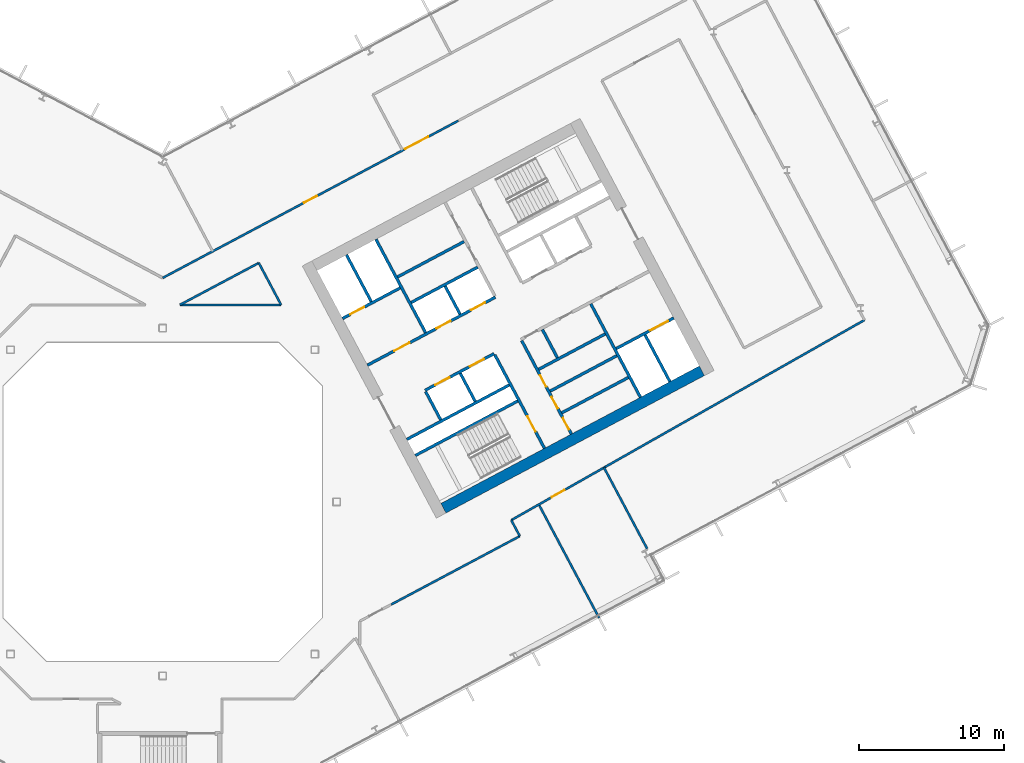
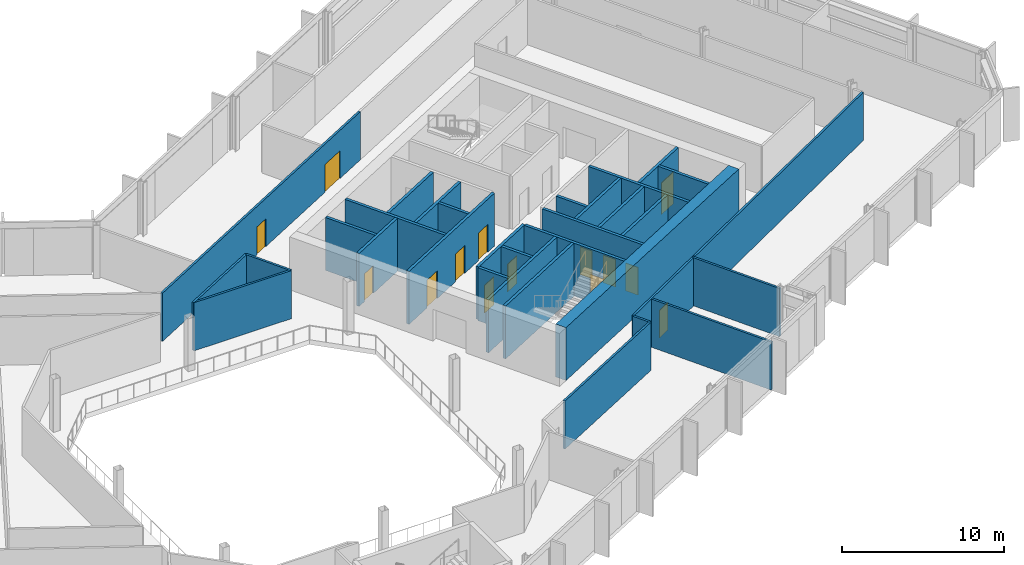
# One storey, part 16 of 28: 32 walls, 14 doors, 14 openings.
"""IFC4 building model written with IfcOpenShell, lengths in metres."""

from ifc_helpers import new_model, si_unit, direction, frame, frame_2d, origin, place, context, subcontext, project, spatial, rectangle, extrude, material, layer, layer_set, type_object, element, fill, save


model = new_model("IFC4")

# Units and contexts
model_context = context("Model", 3, precision=1e-05, world=origin(), true_north=direction((0.0, 1.0)))
body_context = subcontext(model_context, "Body", "Model", "MODEL_VIEW")
ifc_project = project(units=[si_unit("LENGTHUNIT", "METRE"), si_unit("AREAUNIT", "SQUARE_METRE"), si_unit("VOLUMEUNIT", "CUBIC_METRE"), si_unit("PLANEANGLEUNIT", "RADIAN"), si_unit("MASSUNIT", "GRAM", prefix="KILO")], contexts=[model_context])

# Site, building, storey
site_placement = place(None, origin())
site = spatial("IfcSite", under=ifc_project, at=site_placement, CompositionType="ELEMENT")
building_placement = place(site_placement, origin())
building = spatial("IfcBuilding", under=site, at=building_placement, Name="Cormorant Relay Tower", CompositionType="ELEMENT")
storey_placement = place(building_placement, frame((0.0, 0.0, 142.199951171875)))
storey = spatial("IfcBuildingStorey", under=building, at=storey_placement, Name="L29", CompositionType="ELEMENT", Elevation=142.199951171875)

# Walls
ifc_material_1 = material(Name="Concrete 40 MPa", Category="concrete")
ifc_layer_1 = layer(ifc_material_1, 0.199951171875)
ifc_layer_set_1 = layer_set([ifc_layer_1], Name="Core internal wall 200")
wall_type_1 = type_object("IfcWallType", Name="Core internal wall 200", PredefinedType="SOLIDWALL", material=ifc_layer_set_1)
for number, where, z_axis, x_axis, name in (
    (1, (21.567626953125, 6.9375, 0.0), (0.0, 0.0, 1.0), (-0.469533832133, 0.882914480843, 0.0), "L29 core B shaft and room wall"),
    (2, (20.522216796875, 12.950439453125, 0.0), (0.0, 0.0, 1.0), (-0.469401318492, 0.882984938828, 0.0), "L29 core B shaft and room wall"),
    (3, (27.236083984375, 9.951416015625, 0.0), (0.0, 0.0, 1.0), (-0.4694473164, 0.882960484464, 0.0), "L29 core B shaft and room wall"),
):
    element("IfcWall", number, at=place(storey_placement, frame(where, z_axis=z_axis, x_axis=x_axis)), inside=storey, type_object=wall_type_1, Name=name, PredefinedType="SOLIDWALL", context=body_context, shape_type="SweptSolid", body=[
        extrude(rectangle(XDim=2.199951171875, YDim=0.199951171875, at=frame_2d((1.10009765625, 0.0))), origin(), (0.0, 0.0, 1.0), 4.0),
    ])
for number, where, z_axis, x_axis, name in (
    (4, (27.537109375, 6.1474609375, 0.0), (0.0, 0.0, 1.0), (0.882934506056, 0.469496174655, 0.0), "L29 core B shaft and room wall"),
    (5, (26.739013671875, 7.6484375, 0.0), (0.0, 0.0, 1.0), (0.882934506056, 0.469496174655, 0.0), "L29 core B shaft and room wall"),
    (6, (16.2080078125, 15.526611328125, 0.0), (0.0, 0.0, 1.0), (0.882953967957, 0.469459572775, 0.0), "L29 core B shaft and room wall"),
):
    element("IfcWall", number, at=place(storey_placement, frame(where, z_axis=z_axis, x_axis=x_axis)), inside=storey, type_object=wall_type_1, Name=name, PredefinedType="SOLIDWALL", context=body_context, shape_type="SweptSolid", body=[
        extrude(rectangle(XDim=5.199951171875, YDim=0.199951171875, at=frame_2d((2.60009765625, 0.0))), origin(), (0.0, 0.0, 1.0), 4.0),
    ])
ifc_material_2 = material(Name="Concrete 50 MPa", Category="concrete")
ifc_layer_2 = layer(ifc_material_2, 0.199951171875)
ifc_layer_set_2 = layer_set([ifc_layer_2], Name="Core shaft wall 200")
wall_type_2 = type_object("IfcWallType", Name="Core shaft wall 200", PredefinedType="SHEAR", material=ifc_layer_set_2)
wall_1_placement = place(storey_placement, frame((14.39404296875, 13.825927734375, 0.0), z_axis=(0.0, 0.0, 1.0), x_axis=(-0.469494272526, 0.882935517501, 0.0)))
element("IfcWall", 7, at=wall_1_placement, inside=storey, type_object=wall_type_2, Name="L29 core B shaft wall", PredefinedType="SHEAR", context=body_context, shape_type="SweptSolid", body=[
    extrude(rectangle(XDim=3.64990234375, YDim=0.199951171875, at=frame_2d((1.824951171875, 0.0))), origin(), (0.0, 0.0, 1.0), 4.0),
])
wall_2_placement = place(storey_placement, frame((19.18359375, 5.669921875, 0.0), z_axis=(0.0, 0.0, 1.0), x_axis=(-0.4694473164, 0.882960484464, 0.0)))
element("IfcWall", 8, at=wall_2_placement, inside=storey, type_object=wall_type_2, Name="L29 core B shaft wall", PredefinedType="SHEAR", context=body_context, shape_type="SweptSolid", body=[
    extrude(rectangle(XDim=2.199951171875, YDim=0.199951171875, at=frame_2d((1.10009765625, 0.0))), origin(), (0.0, 0.0, 1.0), 4.0),
])
wall_3_placement = place(storey_placement, frame((18.138427734375, 11.682861328125, 0.0), z_axis=(0.0, 0.0, 1.0), x_axis=(-0.469480409012, 0.88294288918, 0.0)))
element("IfcWall", 9, at=wall_3_placement, inside=storey, type_object=wall_type_2, Name="L29 core B shaft wall", PredefinedType="SHEAR", context=body_context, shape_type="SweptSolid", body=[
    extrude(rectangle(XDim=7.300048828125, YDim=0.199951171875, at=frame_2d((3.64990234375, 0.0))), origin(), (0.0, 0.0, 1.0), 4.0),
])

# Wall, opening, door
wall_4_placement = place(storey_placement, frame((26.345947265625, 3.701904296875, 0.0), z_axis=(0.0, 0.0, 1.0), x_axis=(-0.469480409012, 0.88294288918, 0.0)))
wall_4 = element("IfcWall", 10, at=wall_4_placement, inside=storey, type_object=wall_type_2, Name="L29 core B shaft wall", PredefinedType="SHEAR", context=body_context, shape_type="SweptSolid", body=[
    extrude(rectangle(XDim=7.300048828125, YDim=0.199951171875, at=frame_2d((3.64990234375, 0.0))), origin(), (0.0, 0.0, 1.0), 4.0),
])
opening_1_placement = place(wall_4_placement, frame((1.300048828125, 0.0, 0.0)))
opening_1 = element("IfcOpeningElement", 11, at=opening_1_placement, cuts=wall_4, Name="Opening CDB-036", PredefinedType="OPENING", context=body_context, shape_type="SweptSolid", body=[
    extrude(rectangle(XDim=1.199951171875, YDim=2.10009765625, at=frame_2d((0.60009765625, 1.050048828125))), frame((0.0, 0.10986328125, 0.0), z_axis=(0.0, -1.0, 0.0), x_axis=(1.0, 0.0, 0.0)), (0.0, 0.0, 1.0), 0.219970703125),
])
ifc_material_3 = material(Name="Steel fire door", Category="steel")
door_type_1 = type_object("IfcDoorType", Name="Core stair door 1200x2100", OperationType="SINGLE_SWING_LEFT", PredefinedType="DOOR", material=ifc_material_3)
door_1_placement = place(opening_1_placement, origin())
door_1 = element("IfcDoor", 12, at=door_1_placement, inside=storey, type_object=door_type_1, Name="Core stair door 1200x2100", OperationType="SINGLE_SWING_RIGHT", OverallHeight=2.10009765625, OverallWidth=1.199951171875, PredefinedType="DOOR", context=body_context, shape_type="SweptSolid", body=[
    extrude(rectangle(XDim=1.199951171875, YDim=2.10009765625, at=frame_2d((0.60009765625, 1.050048828125))), frame((0.0, 0.02490234375, 0.0), z_axis=(0.0, -1.0, 0.0), x_axis=(1.0, 0.0, 0.0)), (0.0, 0.0, 1.0), 0.050048828125),
])
fill(opening_1, door_1)

# Wall, openings, doors
wall_5_placement = place(storey_placement, frame((28.199951171875, 4.687744140625, 0.0), z_axis=(0.0, 0.0, 1.0), x_axis=(-0.469454336211, 0.882956752176, 0.0)))
wall_5 = element("IfcWall", 13, at=wall_5_placement, inside=storey, type_object=wall_type_2, Name="L29 core B shaft wall", PredefinedType="SHEAR", context=body_context, shape_type="SweptSolid", body=[
    extrude(rectangle(XDim=7.300048828125, YDim=0.199951171875, at=frame_2d((3.64990234375, 0.0))), origin(), (0.0, 0.0, 1.0), 4.0),
])
opening_2_placement = place(wall_5_placement, frame((0.35009765625, 0.0, 0.0)))
opening_2 = element("IfcOpeningElement", 14, at=opening_2_placement, cuts=wall_5, Name="Opening CDD-203", PredefinedType="OPENING", context=body_context, shape_type="SweptSolid", body=[
    extrude(rectangle(XDim=0.89990234375, YDim=2.10009765625, at=frame_2d((0.449951171875, 1.050048828125))), frame((0.0, 0.10986328125, 0.0), z_axis=(0.0, -1.0, 0.0), x_axis=(1.0, 0.0, 0.0)), (0.0, 0.0, 1.0), 0.219970703125),
])
opening_3_placement = place(wall_5_placement, frame((2.0, 0.0, 0.0)))
opening_3 = element("IfcOpeningElement", 15, at=opening_3_placement, cuts=wall_5, Name="Opening CDD-204", PredefinedType="OPENING", context=body_context, shape_type="SweptSolid", body=[
    extrude(rectangle(XDim=0.89990234375, YDim=2.10009765625, at=frame_2d((0.449951171875, 1.050048828125))), frame((0.0, 0.10986328125, 0.0), z_axis=(0.0, -1.0, 0.0), x_axis=(1.0, 0.0, 0.0)), (0.0, 0.0, 1.0), 0.219970703125),
])
opening_4_placement = place(wall_5_placement, frame((3.699951171875, 0.0, 0.0)))
opening_4 = element("IfcOpeningElement", 16, at=opening_4_placement, cuts=wall_5, Name="Opening CDD-205", PredefinedType="OPENING", context=body_context, shape_type="SweptSolid", body=[
    extrude(rectangle(XDim=0.89990234375, YDim=2.10009765625, at=frame_2d((0.449951171875, 1.050048828125))), frame((0.0, 0.10986328125, 0.0), z_axis=(0.0, -1.0, 0.0), x_axis=(1.0, 0.0, 0.0)), (0.0, 0.0, 1.0), 0.219970703125),
])
ifc_material_4 = material(Name="Steel fire door", Category="steel")
door_type_2 = type_object("IfcDoorType", Name="Core room door 900x2100", OperationType="SINGLE_SWING_LEFT", PredefinedType="DOOR", material=ifc_material_4)
door_2_placement = place(opening_2_placement, frame((0.89990234375, 0.0, 0.0), z_axis=(0.0, 0.0, 1.0), x_axis=(-1.0, 0.0, 0.0)))
door_2 = element("IfcDoor", 17, at=door_2_placement, inside=storey, type_object=door_type_2, Name="Core room door 900x2100", OperationType="SINGLE_SWING_LEFT", OverallHeight=2.10009765625, OverallWidth=0.89990234375, PredefinedType="DOOR", context=body_context, shape_type="SweptSolid", body=[
    extrude(rectangle(XDim=0.89990234375, YDim=2.10009765625, at=frame_2d((0.449951171875, 1.050048828125))), frame((0.0, 0.02490234375, 0.0), z_axis=(0.0, -1.0, 0.0), x_axis=(1.0, 0.0, 0.0)), (0.0, 0.0, 1.0), 0.050048828125),
])
fill(opening_2, door_2)
door_3_placement = place(opening_3_placement, frame((0.89990234375, 0.0, 0.0), z_axis=(0.0, 0.0, 1.0), x_axis=(-1.0, 0.0, 0.0)))
door_3 = element("IfcDoor", 18, at=door_3_placement, inside=storey, type_object=door_type_2, Name="Core room door 900x2100", OperationType="SINGLE_SWING_LEFT", OverallHeight=2.10009765625, OverallWidth=0.89990234375, PredefinedType="DOOR", context=body_context, shape_type="SweptSolid", body=[
    extrude(rectangle(XDim=0.89990234375, YDim=2.10009765625, at=frame_2d((0.449951171875, 1.050048828125))), frame((0.0, 0.02490234375, 0.0), z_axis=(0.0, -1.0, 0.0), x_axis=(1.0, 0.0, 0.0)), (0.0, 0.0, 1.0), 0.050048828125),
])
fill(opening_3, door_3)
door_4_placement = place(opening_4_placement, frame((0.89990234375, 0.0, 0.0), z_axis=(0.0, 0.0, 1.0), x_axis=(-1.0, 0.0, 0.0)))
door_4 = element("IfcDoor", 19, at=door_4_placement, inside=storey, type_object=door_type_2, Name="Core room door 900x2100", OperationType="SINGLE_SWING_LEFT", OverallHeight=2.10009765625, OverallWidth=0.89990234375, PredefinedType="DOOR", context=body_context, shape_type="SweptSolid", body=[
    extrude(rectangle(XDim=0.89990234375, YDim=2.10009765625, at=frame_2d((0.449951171875, 1.050048828125))), frame((0.0, 0.02490234375, 0.0), z_axis=(0.0, -1.0, 0.0), x_axis=(1.0, 0.0, 0.0)), (0.0, 0.0, 1.0), 0.050048828125),
])
fill(opening_4, door_4)

# Walls
wall_6_placement = place(storey_placement, frame((32.968017578125, 7.222900390625, 0.0), z_axis=(0.0, 0.0, 1.0), x_axis=(-0.469480409012, 0.88294288918, 0.0)))
element("IfcWall", 20, at=wall_6_placement, inside=storey, type_object=wall_type_2, Name="L29 core B shaft wall", PredefinedType="SHEAR", context=body_context, shape_type="SweptSolid", body=[
    extrude(rectangle(XDim=7.300048828125, YDim=0.199951171875, at=frame_2d((3.64990234375, 0.0))), origin(), (0.0, 0.0, 1.0), 4.0),
])
wall_7_placement = place(storey_placement, frame((34.998779296875, 8.302734375, 0.0), z_axis=(0.0, 0.0, 1.0), x_axis=(-0.4694665462, 0.882950260207, 0.0)))
element("IfcWall", 21, at=wall_7_placement, inside=storey, type_object=wall_type_2, Name="L29 core B shaft wall", PredefinedType="SHEAR", context=body_context, shape_type="SweptSolid", body=[
    extrude(rectangle(XDim=3.650146484375, YDim=0.199951171875, at=frame_2d((1.8251953125, 0.0))), origin(), (0.0, 0.0, 1.0), 4.0),
])
wall_8_placement = place(storey_placement, frame((17.43359375, 3.210205078125, 0.0), z_axis=(0.0, 0.0, 1.0), x_axis=(0.882940221191, 0.469485426614, 0.0)))
element("IfcWall", 22, at=wall_8_placement, inside=storey, type_object=wall_type_2, Name="L29 core B shaft wall", PredefinedType="SHEAR", context=body_context, shape_type="SweptSolid", body=[
    extrude(rectangle(XDim=8.0, YDim=0.199951171875, at=frame_2d((4.0, 0.0))), origin(), (0.0, 0.0, 1.0), 4.0),
])

# Wall, opening, door
wall_9_placement = place(storey_placement, frame((31.295654296875, 10.5810546875, 0.0), z_axis=(0.0, 0.0, 1.0), x_axis=(0.882960433586, 0.469447412093, 0.0)))
wall_9 = element("IfcWall", 23, at=wall_9_placement, inside=storey, type_object=wall_type_2, Name="L29 core B shaft wall", PredefinedType="SHEAR", context=body_context, shape_type="SweptSolid", body=[
    extrude(rectangle(XDim=4.5, YDim=0.199951171875, at=frame_2d((2.25, 0.0))), origin(), (0.0, 0.0, 1.0), 4.0),
])
opening_5_placement = place(wall_9_placement, frame((2.64990234375, 0.0, 0.0)))
opening_5 = element("IfcOpeningElement", 24, at=opening_5_placement, cuts=wall_9, Name="Opening LD3-014", PredefinedType="OPENING", context=body_context, shape_type="SweptSolid", body=[
    extrude(rectangle(XDim=1.39990234375, YDim=2.39990234375, at=frame_2d((0.699951171875, 1.199951171875))), frame((0.0, 0.10986328125, 0.0), z_axis=(0.0, -1.0, 0.0), x_axis=(1.0, 0.0, 0.0)), (0.0, 0.0, 1.0), 0.219970703125),
])
ifc_material_5 = material(Name="Stainless steel 316", Category="steel")
door_type_3 = type_object("IfcDoorType", Name="Lift landing door 1400x2400", OperationType="DOUBLE_DOOR_SLIDING", PredefinedType="DOOR", material=ifc_material_5)
door_5_placement = place(opening_5_placement, origin())
door_5 = element("IfcDoor", 25, at=door_5_placement, inside=storey, type_object=door_type_3, Name="SV2 landing door", OperationType="DOUBLE_DOOR_SLIDING", OverallHeight=2.39990234375, OverallWidth=1.39990234375, PredefinedType="DOOR", context=body_context, shape_type="SweptSolid", body=[
    extrude(rectangle(XDim=1.39990234375, YDim=2.39990234375, at=frame_2d((0.699951171875, 1.199951171875))), frame((0.0, 0.02490234375, 0.0), z_axis=(0.0, -1.0, 0.0), x_axis=(1.0, 0.0, 0.0)), (0.0, 0.0, 1.0), 0.050048828125),
])
fill(opening_5, door_5)

# Walls
wall_10_placement = place(storey_placement, frame((16.8466796875, 4.31396484375, 0.0), z_axis=(0.0, 0.0, 1.0), x_axis=(0.882940221191, 0.469485426614, 0.0)))
element("IfcWall", 26, at=wall_10_placement, inside=storey, type_object=wall_type_2, Name="L29 core B shaft wall", PredefinedType="SHEAR", context=body_context, shape_type="SweptSolid", body=[
    extrude(rectangle(XDim=8.0, YDim=0.199951171875, at=frame_2d((4.0, 0.0))), origin(), (0.0, 0.0, 1.0), 4.0),
])
wall_11_placement = place(storey_placement, frame((25.94091796875, 9.149658203125, 0.0), z_axis=(0.0, 0.0, 1.0), x_axis=(0.882953967957, 0.469459572775, 0.0)))
element("IfcWall", 27, at=wall_11_placement, inside=storey, type_object=wall_type_2, Name="L29 core B shaft wall", PredefinedType="SHEAR", context=body_context, shape_type="SweptSolid", body=[
    extrude(rectangle(XDim=5.199951171875, YDim=0.199951171875, at=frame_2d((2.60009765625, 0.0))), origin(), (0.0, 0.0, 1.0), 4.0),
])

# Wall, openings, doors
wall_12_placement = place(storey_placement, frame((18.103759765625, 7.70068359375, 0.0), z_axis=(0.0, 0.0, 1.0), x_axis=(0.882952937579, 0.469461510692, 0.0)))
wall_12 = element("IfcWall", 28, at=wall_12_placement, inside=storey, type_object=wall_type_2, Name="L29 core B shaft wall", PredefinedType="SHEAR", context=body_context, shape_type="SweptSolid", body=[
    extrude(rectangle(XDim=5.400146484375, YDim=0.199951171875, at=frame_2d((2.7001953125, 0.0))), origin(), (0.0, 0.0, 1.0), 4.0),
])
opening_6_placement = place(wall_12_placement, frame((0.800048828125, 0.0, 0.0)))
opening_6 = element("IfcOpeningElement", 29, at=opening_6_placement, cuts=wall_12, Name="Opening LD1-048", PredefinedType="OPENING", context=body_context, shape_type="SweptSolid", body=[
    extrude(rectangle(XDim=1.10009765625, YDim=2.10009765625, at=frame_2d((0.550048828125, 1.050048828125))), frame((0.0, 0.10986328125, 0.0), z_axis=(0.0, -1.0, 0.0), x_axis=(1.0, 0.0, 0.0)), (0.0, 0.0, 1.0), 0.219970703125),
])
opening_7_placement = place(wall_12_placement, frame((3.5, 0.0, 0.0)))
opening_7 = element("IfcOpeningElement", 30, at=opening_7_placement, cuts=wall_12, Name="Opening LD1-049", PredefinedType="OPENING", context=body_context, shape_type="SweptSolid", body=[
    extrude(rectangle(XDim=1.10009765625, YDim=2.10009765625, at=frame_2d((0.550048828125, 1.050048828125))), frame((0.0, 0.10986328125, 0.0), z_axis=(0.0, -1.0, 0.0), x_axis=(1.0, 0.0, 0.0)), (0.0, 0.0, 1.0), 0.219970703125),
])
ifc_material_6 = material(Name="Stainless steel 316", Category="steel")
door_type_4 = type_object("IfcDoorType", Name="Lift landing door 1100x2100", OperationType="DOUBLE_DOOR_SLIDING", PredefinedType="DOOR", material=ifc_material_6)
door_6_placement = place(opening_6_placement, origin())
door_6 = element("IfcDoor", 31, at=door_6_placement, inside=storey, type_object=door_type_4, Name="LR5 landing door", OperationType="DOUBLE_DOOR_SLIDING", OverallHeight=2.10009765625, OverallWidth=1.10009765625, PredefinedType="DOOR", context=body_context, shape_type="SweptSolid", body=[
    extrude(rectangle(XDim=1.10009765625, YDim=2.10009765625, at=frame_2d((0.550048828125, 1.050048828125))), frame((0.0, 0.02490234375, 0.0), z_axis=(0.0, -1.0, 0.0), x_axis=(1.0, 0.0, 0.0)), (0.0, 0.0, 1.0), 0.050048828125),
])
fill(opening_6, door_6)
door_7_placement = place(opening_7_placement, origin())
door_7 = element("IfcDoor", 32, at=door_7_placement, inside=storey, type_object=door_type_4, Name="LR6 landing door", OperationType="DOUBLE_DOOR_SLIDING", OverallHeight=2.10009765625, OverallWidth=1.10009765625, PredefinedType="DOOR", context=body_context, shape_type="SweptSolid", body=[
    extrude(rectangle(XDim=1.10009765625, YDim=2.10009765625, at=frame_2d((0.550048828125, 1.050048828125))), frame((0.0, 0.02490234375, 0.0), z_axis=(0.0, -1.0, 0.0), x_axis=(1.0, 0.0, 0.0)), (0.0, 0.0, 1.0), 0.050048828125),
])
fill(opening_7, door_7)

wall_13_placement = place(storey_placement, frame((14.123779296875, 9.43505859375, 0.0), z_axis=(0.0, 0.0, 1.0), x_axis=(0.882940221191, 0.469485426614, 0.0)))
wall_13 = element("IfcWall", 33, at=wall_13_placement, inside=storey, type_object=wall_type_2, Name="L29 core B shaft wall", PredefinedType="SHEAR", context=body_context, shape_type="SweptSolid", body=[
    extrude(rectangle(XDim=10.0, YDim=0.199951171875, at=frame_2d((5.0, 0.0))), origin(), (0.0, 0.0, 1.0), 4.0),
])
opening_8_placement = place(wall_13_placement, frame((2.10009765625, 0.0, 0.0)))
opening_8 = element("IfcOpeningElement", 34, at=opening_8_placement, cuts=wall_13, Name="Opening CDC-027", PredefinedType="OPENING", context=body_context, shape_type="SweptSolid", body=[
    extrude(rectangle(XDim=1.199951171875, YDim=2.10009765625, at=frame_2d((0.60009765625, 1.050048828125))), frame((0.0, 0.10986328125, 0.0), z_axis=(0.0, -1.0, 0.0), x_axis=(1.0, 0.0, 0.0)), (0.0, 0.0, 1.0), 0.219970703125),
])
opening_9_placement = place(wall_13_placement, frame((5.39990234375, 0.0, 0.0)))
opening_9 = element("IfcOpeningElement", 35, at=opening_9_placement, cuts=wall_13, Name="Opening LD1-044", PredefinedType="OPENING", context=body_context, shape_type="SweptSolid", body=[
    extrude(rectangle(XDim=1.10009765625, YDim=2.10009765625, at=frame_2d((0.550048828125, 1.050048828125))), frame((0.0, 0.10986328125, 0.0), z_axis=(0.0, -1.0, 0.0), x_axis=(1.0, 0.0, 0.0)), (0.0, 0.0, 1.0), 0.219970703125),
])
opening_10_placement = place(wall_13_placement, frame((8.10009765625, 0.0, 0.0)))
opening_10 = element("IfcOpeningElement", 36, at=opening_10_placement, cuts=wall_13, Name="Opening LD1-045", PredefinedType="OPENING", context=body_context, shape_type="SweptSolid", body=[
    extrude(rectangle(XDim=1.10009765625, YDim=2.10009765625, at=frame_2d((0.550048828125, 1.050048828125))), frame((0.0, 0.10986328125, 0.0), z_axis=(0.0, -1.0, 0.0), x_axis=(1.0, 0.0, 0.0)), (0.0, 0.0, 1.0), 0.219970703125),
])
ifc_material_7 = material(Name="Steel fire door", Category="steel")
door_type_5 = type_object("IfcDoorType", Name="Core lobby door 1200x2100", OperationType="SINGLE_SWING_LEFT", PredefinedType="DOOR", material=ifc_material_7)
door_8_placement = place(opening_8_placement, origin())
door_8 = element("IfcDoor", 37, at=door_8_placement, inside=storey, type_object=door_type_5, Name="Core lobby door 1200x2100", OperationType="SINGLE_SWING_RIGHT", OverallHeight=2.10009765625, OverallWidth=1.199951171875, PredefinedType="DOOR", context=body_context, shape_type="SweptSolid", body=[
    extrude(rectangle(XDim=1.199951171875, YDim=2.10009765625, at=frame_2d((0.60009765625, 1.050048828125))), frame((0.0, 0.02490234375, 0.0), z_axis=(0.0, -1.0, 0.0), x_axis=(1.0, 0.0, 0.0)), (0.0, 0.0, 1.0), 0.050048828125),
])
fill(opening_8, door_8)
door_9_placement = place(opening_9_placement, origin())
door_9 = element("IfcDoor", 38, at=door_9_placement, inside=storey, type_object=door_type_4, Name="LR1 landing door", OperationType="DOUBLE_DOOR_SLIDING", OverallHeight=2.10009765625, OverallWidth=1.10009765625, PredefinedType="DOOR", context=body_context, shape_type="SweptSolid", body=[
    extrude(rectangle(XDim=1.10009765625, YDim=2.10009765625, at=frame_2d((0.550048828125, 1.050048828125))), frame((0.0, 0.02490234375, 0.0), z_axis=(0.0, -1.0, 0.0), x_axis=(1.0, 0.0, 0.0)), (0.0, 0.0, 1.0), 0.050048828125),
])
fill(opening_9, door_9)
door_10_placement = place(opening_10_placement, origin())
door_10 = element("IfcDoor", 39, at=door_10_placement, inside=storey, type_object=door_type_4, Name="LR2 landing door", OperationType="DOUBLE_DOOR_SLIDING", OverallHeight=2.10009765625, OverallWidth=1.10009765625, PredefinedType="DOOR", context=body_context, shape_type="SweptSolid", body=[
    extrude(rectangle(XDim=1.10009765625, YDim=2.10009765625, at=frame_2d((0.550048828125, 1.050048828125))), frame((0.0, 0.02490234375, 0.0), z_axis=(0.0, -1.0, 0.0), x_axis=(1.0, 0.0, 0.0)), (0.0, 0.0, 1.0), 0.050048828125),
])
fill(opening_10, door_10)

# Wall
wall_14_placement = place(storey_placement, frame((17.146728515625, 13.7607421875, 0.0), z_axis=(0.0, 0.0, 1.0), x_axis=(0.882964314875, 0.469440111896, 0.0)))
element("IfcWall", 40, at=wall_14_placement, inside=storey, type_object=wall_type_2, Name="L29 core B shaft wall", PredefinedType="SHEAR", context=body_context, shape_type="SweptSolid", body=[
    extrude(rectangle(XDim=5.2001953125, YDim=0.199951171875, at=frame_2d((2.60009765625, 0.0))), origin(), (0.0, 0.0, 1.0), 4.0),
])

# Wall, opening, door
wall_15_placement = place(storey_placement, frame((12.41015625, 12.657958984375, 0.0), z_axis=(0.0, 0.0, 1.0), x_axis=(0.8829484765, 0.469469900894, 0.0)))
wall_15 = element("IfcWall", 41, at=wall_15_placement, inside=storey, type_object=wall_type_2, Name="L29 core B shaft wall", PredefinedType="SHEAR", context=body_context, shape_type="SweptSolid", body=[
    extrude(rectangle(XDim=4.499755859375, YDim=0.199951171875, at=frame_2d((2.25, 0.0))), origin(), (0.0, 0.0, 1.0), 4.0),
])
opening_11_placement = place(wall_15_placement, frame((0.60009765625, 0.0, 0.0)))
opening_11 = element("IfcOpeningElement", 42, at=opening_11_placement, cuts=wall_15, Name="Opening LD1-050", PredefinedType="OPENING", context=body_context, shape_type="SweptSolid", body=[
    extrude(rectangle(XDim=1.10009765625, YDim=2.10009765625, at=frame_2d((0.550048828125, 1.050048828125))), frame((0.0, 0.10986328125, 0.0), z_axis=(0.0, -1.0, 0.0), x_axis=(1.0, 0.0, 0.0)), (0.0, 0.0, 1.0), 0.219970703125),
])
door_11_placement = place(opening_11_placement, origin())
door_11 = element("IfcDoor", 43, at=door_11_placement, inside=storey, type_object=door_type_4, Name="FF2 landing door", OperationType="DOUBLE_DOOR_SLIDING", OverallHeight=2.10009765625, OverallWidth=1.10009765625, PredefinedType="DOOR", context=body_context, shape_type="SweptSolid", body=[
    extrude(rectangle(XDim=1.10009765625, YDim=2.10009765625, at=frame_2d((0.550048828125, 1.050048828125))), frame((0.0, 0.02490234375, 0.0), z_axis=(0.0, -1.0, 0.0), x_axis=(1.0, 0.0, 0.0)), (0.0, 0.0, 1.0), 0.050048828125),
])
fill(opening_11, door_11)

# Wall
ifc_material_8 = material(Name="Concrete 60 MPa", Category="concrete")
ifc_layer_3 = layer(ifc_material_8, 0.75)
ifc_layer_set_3 = layer_set([ifc_layer_3], Name="Core wall 750")
wall_type_3 = type_object("IfcWallType", Name="Core wall 750", PredefinedType="SHEAR", material=ifc_layer_set_3)
wall_16_placement = place(storey_placement, frame((19.3701171875, -0.431884765625, 0.0), z_axis=(0.0, 0.0, 1.0), x_axis=(0.88294509198, 0.469476266226, 0.0)))
element("IfcWall", 44, at=wall_16_placement, inside=storey, type_object=wall_type_3, Name="L29 core B wall", PredefinedType="SHEAR", context=body_context, shape_type="SweptSolid", body=[
    extrude(rectangle(XDim=20.199951171875, YDim=0.75, at=frame_2d((10.10009765625, 0.0))), origin(), (0.0, 0.0, 1.0), 4.0),
])

# Wall, openings, doors
ifc_material_9 = material(Name="Gypsum board fire partition")
ifc_layer_4 = layer(ifc_material_9, 0.14990234375)
ifc_layer_set_4 = layer_set([ifc_layer_4], Name="Corridor partition 150 EI 60")
wall_type_4 = type_object("IfcWallType", Name="Corridor partition 150 EI 60", PredefinedType="PARTITIONING", material=ifc_layer_set_4)
wall_17_placement = place(storey_placement, frame((0.0, 15.4599609375, 0.0), z_axis=(0.0, 0.0, 1.0), x_axis=(0.882944798935, 0.469476817355, 0.0)))
wall_17 = element("IfcWall", 45, at=wall_17_placement, inside=storey, type_object=wall_type_4, Name="wall/L29/part/033", PredefinedType="PARTITIONING", context=body_context, shape_type="SweptSolid", body=[
    extrude(rectangle(XDim=23.10693359375, YDim=0.14990234375, at=frame_2d((11.553466796875, 0.0))), origin(), (0.0, 0.0, 1.0), 3.64013671875),
])
opening_12_placement = place(wall_17_placement, frame((18.949951171875, 0.0, 0.0)))
opening_12 = element("IfcOpeningElement", 46, at=opening_12_placement, cuts=wall_17, Name="Opening DD-011", PredefinedType="OPENING", context=body_context, shape_type="SweptSolid", body=[
    extrude(rectangle(XDim=1.800048828125, YDim=2.10009765625, at=frame_2d((0.89990234375, 1.050048828125))), frame((0.0, 0.0849609375, 0.0), z_axis=(0.0, -1.0, 0.0), x_axis=(1.0, 0.0, 0.0)), (0.0, 0.0, 1.0), 0.169921875),
])
opening_13_placement = place(wall_17_placement, frame((11.050048828125, 0.0, 0.0)))
opening_13 = element("IfcOpeningElement", 47, at=opening_13_placement, cuts=wall_17, Name="Opening DS-039", PredefinedType="OPENING", context=body_context, shape_type="SweptSolid", body=[
    extrude(rectangle(XDim=1.0, YDim=2.10009765625, at=frame_2d((0.5, 1.050048828125))), frame((0.0, 0.0849609375, 0.0), z_axis=(0.0, -1.0, 0.0), x_axis=(1.0, 0.0, 0.0)), (0.0, 0.0, 1.0), 0.169921875),
])
ifc_material_10 = material(Name="Timber door leaf", Category="wood")
door_type_6 = type_object("IfcDoorType", Name="Suite door 1000x2100", OperationType="SINGLE_SWING_LEFT", PredefinedType="DOOR", material=ifc_material_10)
door_12_placement = place(opening_13_placement, origin())
door_12 = element("IfcDoor", 48, at=door_12_placement, inside=storey, type_object=door_type_6, Name="door/L29/008", OperationType="SINGLE_SWING_LEFT", OverallHeight=2.10009765625, OverallWidth=1.0, PredefinedType="DOOR", context=body_context, shape_type="SweptSolid", body=[
    extrude(rectangle(XDim=1.0, YDim=2.10009765625, at=frame_2d((0.5, 1.050048828125))), frame((0.0, 0.02490234375, 0.0), z_axis=(0.0, -1.0, 0.0), x_axis=(1.0, 0.0, 0.0)), (0.0, 0.0, 1.0), 0.050048828125),
])
fill(opening_13, door_12)
ifc_material_11 = material(Name="Timber door leaf", Category="wood")
door_type_7 = type_object("IfcDoorType", Name="Suite double door 1800x2100", OperationType="DOUBLE_DOOR_SINGLE_SWING", PredefinedType="DOOR", material=ifc_material_11)
door_13_placement = place(opening_12_placement, origin())
door_13 = element("IfcDoor", 49, at=door_13_placement, inside=storey, type_object=door_type_7, Name="door/L29/007", OperationType="DOUBLE_DOOR_SINGLE_SWING", OverallHeight=2.10009765625, OverallWidth=1.800048828125, PredefinedType="DOOR", context=body_context, shape_type="SweptSolid", body=[
    extrude(rectangle(XDim=1.800048828125, YDim=2.10009765625, at=frame_2d((0.89990234375, 1.050048828125))), frame((0.0, 0.02490234375, 0.0), z_axis=(0.0, -1.0, 0.0), x_axis=(1.0, 0.0, 0.0)), (0.0, 0.0, 1.0), 0.050048828125),
])
fill(opening_12, door_13)

# Walls
wall_18_placement = place(storey_placement, frame((24.054931640625, -1.2548828125, 0.0), z_axis=(0.0, 0.0, 1.0), x_axis=(0.469279071809, -0.883049915216, 0.0)))
element("IfcWall", 50, at=wall_18_placement, inside=storey, type_object=wall_type_4, Name="wall/L29/part/050", PredefinedType="PARTITIONING", context=body_context, shape_type="SweptSolid", body=[
    extrude(rectangle(XDim=1.2490234375, YDim=0.14990234375, at=frame_2d((0.62451171875, 0.0))), origin(), (0.0, 0.0, 1.0), 3.64013671875),
])
wall_19_placement = place(storey_placement, frame((24.64111328125, -2.35791015625, 0.0), z_axis=(0.0, 0.0, 1.0), x_axis=(-0.882963445944, -0.469441746255, 0.0)))
element("IfcWall", 51, at=wall_19_placement, inside=storey, type_object=wall_type_4, Name="wall/L29/part/051", PredefinedType="PARTITIONING", context=body_context, shape_type="SweptSolid", body=[
    extrude(rectangle(XDim=10.05029296875, YDim=0.14990234375, at=frame_2d((5.025146484375, 0.0))), origin(), (0.0, 0.0, 1.0), 3.64013671875),
])

# Wall, opening, door
wall_20_placement = place(storey_placement, frame((30.5419921875, 2.422119140625, 0.0), z_axis=(0.0, 0.0, 1.0), x_axis=(-0.870052610738, -0.492958877136, 0.0)))
wall_20 = element("IfcWall", 52, at=wall_20_placement, inside=storey, type_object=wall_type_4, Name="wall/L29/part/059", PredefinedType="PARTITIONING", context=body_context, shape_type="SweptSolid", body=[
    extrude(rectangle(XDim=7.45703125, YDim=0.14990234375, at=frame_2d((3.728515625, 0.0))), origin(), (0.0, 0.0, 1.0), 3.64013671875),
])
opening_14_placement = place(wall_20_placement, frame((3.25, 0.0, 0.0)))
opening_14 = element("IfcOpeningElement", 53, at=opening_14_placement, cuts=wall_20, Name="Opening DS-038", PredefinedType="OPENING", context=body_context, shape_type="SweptSolid", body=[
    extrude(rectangle(XDim=1.0, YDim=2.10009765625, at=frame_2d((0.5, 1.050048828125))), frame((0.0, 0.0849609375, 0.0), z_axis=(0.0, -1.0, 0.0), x_axis=(1.0, 0.0, 0.0)), (0.0, 0.0, 1.0), 0.169921875),
])
door_14_placement = place(opening_14_placement, origin())
door_14 = element("IfcDoor", 54, at=door_14_placement, inside=storey, type_object=door_type_6, Name="door/L29/005", OperationType="SINGLE_SWING_RIGHT", OverallHeight=2.10009765625, OverallWidth=1.0, PredefinedType="DOOR", context=body_context, shape_type="SweptSolid", body=[
    extrude(rectangle(XDim=1.0, YDim=2.10009765625, at=frame_2d((0.5, 1.050048828125))), frame((0.0, 0.02490234375, 0.0), z_axis=(0.0, -1.0, 0.0), x_axis=(1.0, 0.0, 0.0)), (0.0, 0.0, 1.0), 0.050048828125),
])
fill(opening_14, door_14)

# Walls
wall_21_placement = place(storey_placement, frame((48.425048828125, 12.552978515625, 0.0), z_axis=(0.0, 0.0, 1.0), x_axis=(-0.870082130953, -0.492906771506, 0.0)))
element("IfcWall", 55, at=wall_21_placement, inside=storey, type_object=wall_type_4, Name="wall/L29/part/064", PredefinedType="PARTITIONING", context=body_context, shape_type="SweptSolid", body=[
    extrude(rectangle(XDim=20.55322265625, YDim=0.14990234375, at=frame_2d((10.276611328125, 0.0))), origin(), (0.0, 0.0, 1.0), 3.64013671875),
])
wall_22_placement = place(storey_placement, frame((1.18896484375, 13.60009765625, 0.0), z_axis=(0.0, 0.0, 1.0), x_axis=(1.0, 0.0, 0.0)))
element("IfcWall", 56, at=wall_22_placement, inside=storey, type_object=wall_type_4, Name="wall/L29/part/075", PredefinedType="PARTITIONING", context=body_context, shape_type="SweptSolid", body=[
    extrude(rectangle(XDim=6.983154296875, YDim=0.14990234375, at=frame_2d((3.49169921875, 0.0))), origin(), (0.0, 0.0, 1.0), 3.64013671875),
])
wall_23_placement = place(storey_placement, frame((8.172119140625, 13.60009765625, 0.0), z_axis=(0.0, 0.0, 1.0), x_axis=(-0.4694129048, 0.882978779364, 0.0)))
element("IfcWall", 57, at=wall_23_placement, inside=storey, type_object=wall_type_4, Name="wall/L29/part/076", PredefinedType="PARTITIONING", context=body_context, shape_type="SweptSolid", body=[
    extrude(rectangle(XDim=3.27880859375, YDim=0.14990234375, at=frame_2d((1.639404296875, 0.0))), origin(), (0.0, 0.0, 1.0), 3.64013671875),
])
wall_24_placement = place(storey_placement, frame((6.633056640625, 16.4951171875, 0.0), z_axis=(0.0, 0.0, 1.0), x_axis=(-0.882924427048, -0.469515128747, 0.0)))
element("IfcWall", 58, at=wall_24_placement, inside=storey, type_object=wall_type_4, Name="wall/L29/part/077", PredefinedType="PARTITIONING", context=body_context, shape_type="SweptSolid", body=[
    extrude(rectangle(XDim=6.166015625, YDim=0.14990234375, at=frame_2d((3.0830078125, 0.0))), origin(), (0.0, 0.0, 1.0), 3.64013671875),
])
ifc_material_12 = material(Name="Gypsum board partition")
ifc_layer_5 = layer(ifc_material_12, 0.14990234375)
ifc_layer_set_5 = layer_set([ifc_layer_5], Name="Tenant partition 150")
wall_type_5 = type_object("IfcWallType", Name="Tenant partition 150", PredefinedType="PARTITIONING", material=ifc_layer_set_5)
wall_25_placement = place(storey_placement, frame((25.955078125, -0.177001953125, 0.0), z_axis=(0.0, 0.0, 1.0), x_axis=(0.4693761959, -0.882998293726, 0.0)))
element("IfcWall", 59, at=wall_25_placement, inside=storey, type_object=wall_type_5, Name="wall/L29/part/058", PredefinedType="PARTITIONING", context=body_context, shape_type="SweptSolid", body=[
    extrude(rectangle(XDim=8.8583984375, YDim=0.14990234375, at=frame_2d((4.42919921875, 0.0))), origin(), (0.0, 0.0, 1.0), 3.64013671875),
])
wall_26_placement = place(storey_placement, frame((30.451904296875, 2.37109375, 0.0), z_axis=(0.0, 0.0, 1.0), x_axis=(0.469442025079, -0.882963297703, 0.0)))
element("IfcWall", 60, at=wall_26_placement, inside=storey, type_object=wall_type_5, Name="wall/L29/part/060", PredefinedType="PARTITIONING", context=body_context, shape_type="SweptSolid", body=[
    extrude(rectangle(XDim=6.347900390625, YDim=0.14990234375, at=frame_2d((3.173828125, 0.0))), origin(), (0.0, 0.0, 1.0), 3.64013671875),
])

save(model, "model.ifc")
